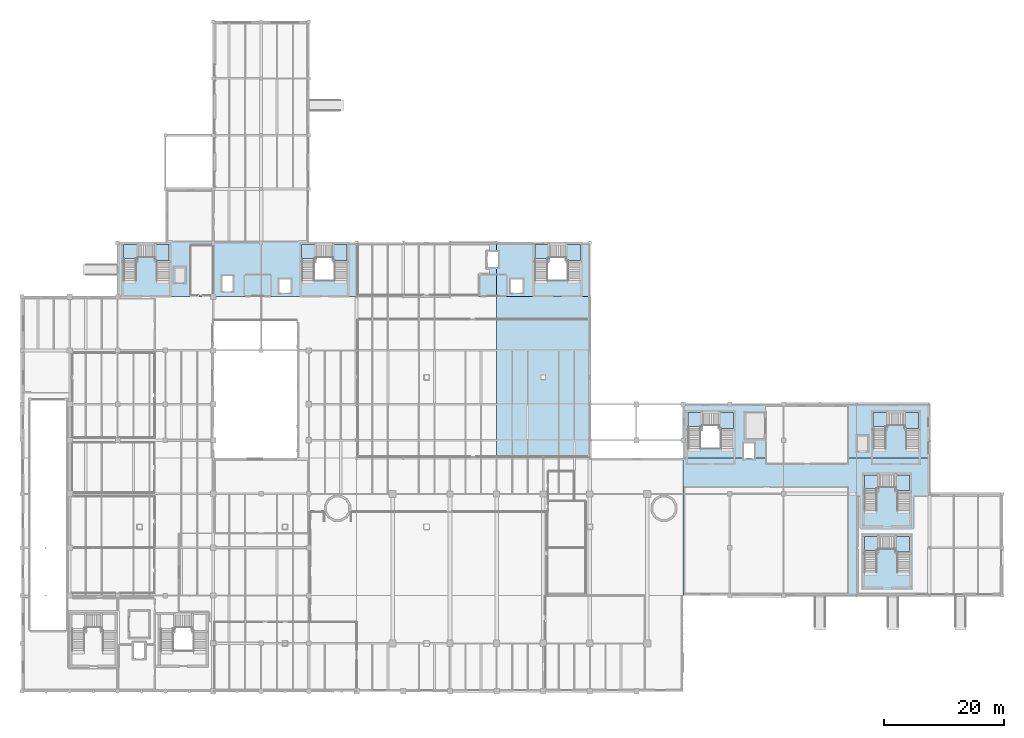
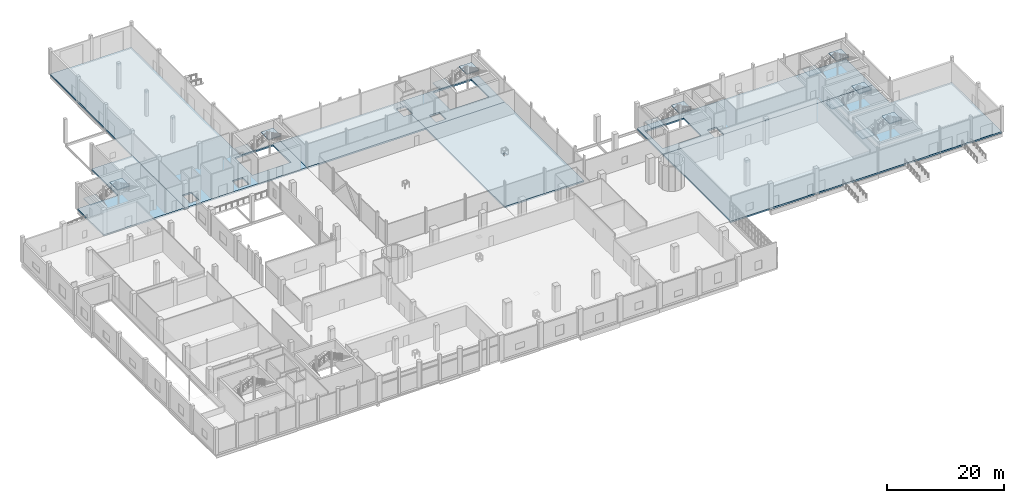
# One storey, part 32 of 57: 21 slabs, 7 elements without a shape of their own.
"""IFC4 building model written with IfcOpenShell, lengths in metres."""

from ifc_helpers import new_model, si_unit, derived_unit, direction, frame, origin, place, context, subcontext, project, spatial, polyline, outline, extrude, material, layer, layer_set, type_object, element, aggregate, save


model = new_model("IFC4")

# Units and contexts
model_context = context("Model", 3, precision=1e-05, world=origin(), true_north=direction((0.0, 1.0)))
body_context = subcontext(model_context, "Body", "Model", "MODEL_VIEW")
ifc_project = project(units=[si_unit("LENGTHUNIT", "METRE"), si_unit("AREAUNIT", "SQUARE_METRE"), si_unit("VOLUMEUNIT", "CUBIC_METRE"), si_unit("PLANEANGLEUNIT", "RADIAN"), si_unit("MASSUNIT", "GRAM", prefix="KILO"), derived_unit("THERMALTRANSMITTANCEUNIT", [(si_unit("POWERUNIT", "WATT"), 1), (si_unit("LENGTHUNIT", "METRE"), -2), (si_unit("THERMODYNAMICTEMPERATUREUNIT", "KELVIN"), -1)])], contexts=[model_context])

# Site, building, storey
site_placement = place(None, origin())
site = spatial("IfcSite", under=ifc_project, at=site_placement, CompositionType="ELEMENT")
building_placement = place(site_placement, origin())
building = spatial("IfcBuilding", under=site, at=building_placement, Name="Nallur Shell Playhouse", CompositionType="ELEMENT")
storey_placement = place(building_placement, origin())
storey = spatial("IfcBuildingStorey", under=building, at=storey_placement, Name="L01", CompositionType="ELEMENT", Elevation=0.0)

# Stair, slabs
ifc_material = material(Name="Concrete M35", Category="concrete")
stair_type = type_object("IfcStairType", Name="ST-CORE-54", PredefinedType="QUARTER_TURN_STAIR", material=ifc_material)
stair_1_placement = place(storey_placement, origin())
stair_1 = element("IfcStair", 1, at=stair_1_placement, inside=storey, type_object=stair_type, Name="Core JC-2 exit stair ST-02-L01 (L01 to L02)", PredefinedType="QUARTER_TURN_STAIR")
ifc_layer_1 = layer(ifc_material, 0.199951171875)
ifc_layer_set_1 = layer_set([ifc_layer_1], Name="Concrete M35")
slab_type_1 = type_object("IfcSlabType", Name="SL-LANDING-200", PredefinedType="LANDING", material=ifc_layer_set_1)
slab_1_placement = place(storey_placement, frame((0.0, 0.0, 1.8056640625)))
slab_1 = element("IfcSlab", 2, at=slab_1_placement, type_object=slab_type_1, Name="ST-54 landing 1", PredefinedType="LANDING", context=body_context, shape_type="SweptSolid", body=[
    extrude(outline(polyline([(119.39990234375, 52.260009765625), (121.827392578125, 52.260009765625), (121.827392578125, 54.60009765625), (119.39990234375, 54.60009765625), (119.39990234375, 52.260009765625)])), origin(), (0.0, 0.0, 1.0), 0.199951171875),
])
slab_2_placement = place(storey_placement, frame((0.0, 0.0, 3.3486328125)))
slab_2 = element("IfcSlab", 3, at=slab_2_placement, type_object=slab_type_1, Name="ST-54 landing 2", PredefinedType="LANDING", context=body_context, shape_type="SweptSolid", body=[
    extrude(outline(polyline([(124.572509765625, 51.955078125), (127.0, 51.955078125), (127.0, 54.60009765625), (124.572509765625, 54.60009765625), (124.572509765625, 51.955078125)])), origin(), (0.0, 0.0, 1.0), 0.199951171875),
])
aggregate(stair_1, [slab_1, slab_2])

stair_2_placement = place(storey_placement, origin())
stair_2 = element("IfcStair", 4, at=stair_2_placement, inside=storey, type_object=stair_type, Name="Core JC-3 exit stair ST-03-L01 (L01 to L02)", PredefinedType="QUARTER_TURN_STAIR")
slab_3_placement = place(storey_placement, frame((0.0, 0.0, 1.8056640625)))
slab_3 = element("IfcSlab", 5, at=slab_3_placement, type_object=slab_type_1, Name="ST-54 landing 1", PredefinedType="LANDING", context=body_context, shape_type="SweptSolid", body=[
    extrude(outline(polyline([(54.800048828125, 80.360107421875), (57.2275390625, 80.360107421875), (57.2275390625, 82.699951171875), (54.800048828125, 82.699951171875), (54.800048828125, 80.360107421875)])), origin(), (0.0, 0.0, 1.0), 0.199951171875),
])
slab_4_placement = place(storey_placement, frame((0.0, 0.0, 3.3486328125)))
slab_4 = element("IfcSlab", 6, at=slab_4_placement, type_object=slab_type_1, Name="ST-54 landing 2", PredefinedType="LANDING", context=body_context, shape_type="SweptSolid", body=[
    extrude(outline(polyline([(59.972412109375, 80.054931640625), (62.39990234375, 80.054931640625), (62.39990234375, 82.699951171875), (59.972412109375, 82.699951171875), (59.972412109375, 80.054931640625)])), origin(), (0.0, 0.0, 1.0), 0.199951171875),
])
aggregate(stair_2, [slab_3, slab_4])

stair_3_placement = place(storey_placement, origin())
stair_3 = element("IfcStair", 7, at=stair_3_placement, inside=storey, type_object=stair_type, Name="Core JC-4 exit stair ST-04-L01 (L01 to L02)", PredefinedType="QUARTER_TURN_STAIR")
slab_5_placement = place(storey_placement, frame((0.0, 0.0, 1.8056640625)))
slab_5 = element("IfcSlab", 8, at=slab_5_placement, type_object=slab_type_1, Name="ST-54 landing 1", PredefinedType="LANDING", context=body_context, shape_type="SweptSolid", body=[
    extrude(outline(polyline([(93.800048828125, 80.360107421875), (96.2275390625, 80.360107421875), (96.2275390625, 82.699951171875), (93.800048828125, 82.699951171875), (93.800048828125, 80.360107421875)])), origin(), (0.0, 0.0, 1.0), 0.199951171875),
])
slab_6_placement = place(storey_placement, frame((0.0, 0.0, 3.3486328125)))
slab_6 = element("IfcSlab", 9, at=slab_6_placement, type_object=slab_type_1, Name="ST-54 landing 2", PredefinedType="LANDING", context=body_context, shape_type="SweptSolid", body=[
    extrude(outline(polyline([(98.972412109375, 80.054931640625), (101.39990234375, 80.054931640625), (101.39990234375, 82.699951171875), (98.972412109375, 82.699951171875), (98.972412109375, 80.054931640625)])), origin(), (0.0, 0.0, 1.0), 0.199951171875),
])
aggregate(stair_3, [slab_5, slab_6])

stair_4_placement = place(storey_placement, origin())
stair_4 = element("IfcStair", 10, at=stair_4_placement, inside=storey, type_object=stair_type, Name="Core JC-5 exit stair ST-05-L01 (L01 to L02)", PredefinedType="QUARTER_TURN_STAIR")
slab_7_placement = place(storey_placement, frame((0.0, 0.0, 1.8056640625)))
slab_7 = element("IfcSlab", 11, at=slab_7_placement, type_object=slab_type_1, Name="ST-54 landing 1", PredefinedType="LANDING", context=body_context, shape_type="SweptSolid", body=[
    extrude(outline(polyline([(150.39990234375, 52.260009765625), (152.827392578125, 52.260009765625), (152.827392578125, 54.60009765625), (150.39990234375, 54.60009765625), (150.39990234375, 52.260009765625)])), origin(), (0.0, 0.0, 1.0), 0.199951171875),
])
slab_8_placement = place(storey_placement, frame((0.0, 0.0, 3.3486328125)))
slab_8 = element("IfcSlab", 12, at=slab_8_placement, type_object=slab_type_1, Name="ST-54 landing 2", PredefinedType="LANDING", context=body_context, shape_type="SweptSolid", body=[
    extrude(outline(polyline([(155.572509765625, 51.955078125), (158.0, 51.955078125), (158.0, 54.60009765625), (155.572509765625, 54.60009765625), (155.572509765625, 51.955078125)])), origin(), (0.0, 0.0, 1.0), 0.199951171875),
])
aggregate(stair_4, [slab_7, slab_8])

stair_5_placement = place(storey_placement, origin())
stair_5 = element("IfcStair", 13, at=stair_5_placement, inside=storey, type_object=stair_type, Name="Core JC-6 exit stair ST-06-L01 (L01 to L02)", PredefinedType="QUARTER_TURN_STAIR")
slab_9_placement = place(storey_placement, frame((0.0, 0.0, 1.8056640625)))
slab_9 = element("IfcSlab", 14, at=slab_9_placement, type_object=slab_type_1, Name="ST-54 landing 1", PredefinedType="LANDING", context=body_context, shape_type="SweptSolid", body=[
    extrude(outline(polyline([(25.0, 80.360107421875), (27.427490234375, 80.360107421875), (27.427490234375, 82.699951171875), (25.0, 82.699951171875), (25.0, 80.360107421875)])), origin(), (0.0, 0.0, 1.0), 0.199951171875),
])
slab_10_placement = place(storey_placement, frame((0.0, 0.0, 3.3486328125)))
slab_10 = element("IfcSlab", 15, at=slab_10_placement, type_object=slab_type_1, Name="ST-54 landing 2", PredefinedType="LANDING", context=body_context, shape_type="SweptSolid", body=[
    extrude(outline(polyline([(30.172607421875, 80.054931640625), (32.60009765625, 80.054931640625), (32.60009765625, 82.699951171875), (30.172607421875, 82.699951171875), (30.172607421875, 80.054931640625)])), origin(), (0.0, 0.0, 1.0), 0.199951171875),
])
aggregate(stair_5, [slab_9, slab_10])

stair_6_placement = place(storey_placement, origin())
stair_6 = element("IfcStair", 16, at=stair_6_placement, inside=storey, type_object=stair_type, Name="Core JC-8 exit stair ST-08-L01 (L01 to L02)", PredefinedType="QUARTER_TURN_STAIR")
slab_11_placement = place(storey_placement, frame((0.0, 0.0, 1.8056640625)))
slab_11 = element("IfcSlab", 17, at=slab_11_placement, type_object=slab_type_1, Name="ST-54 landing 1", PredefinedType="LANDING", context=body_context, shape_type="SweptSolid", body=[
    extrude(outline(polyline([(148.89990234375, 31.56005859375), (151.327392578125, 31.56005859375), (151.327392578125, 33.89990234375), (148.89990234375, 33.89990234375), (148.89990234375, 31.56005859375)])), origin(), (0.0, 0.0, 1.0), 0.199951171875),
])
slab_12_placement = place(storey_placement, frame((0.0, 0.0, 3.3486328125)))
slab_12 = element("IfcSlab", 18, at=slab_12_placement, type_object=slab_type_1, Name="ST-54 landing 2", PredefinedType="LANDING", context=body_context, shape_type="SweptSolid", body=[
    extrude(outline(polyline([(154.072509765625, 31.2548828125), (156.5, 31.2548828125), (156.5, 33.89990234375), (154.072509765625, 33.89990234375), (154.072509765625, 31.2548828125)])), origin(), (0.0, 0.0, 1.0), 0.199951171875),
])
aggregate(stair_6, [slab_11, slab_12])

stair_7_placement = place(storey_placement, origin())
stair_7 = element("IfcStair", 19, at=stair_7_placement, inside=storey, type_object=stair_type, Name="Core JC-9 exit stair ST-09-L01 (L01 to L02)", PredefinedType="QUARTER_TURN_STAIR")
slab_13_placement = place(storey_placement, frame((0.0, 0.0, 1.8056640625)))
slab_13 = element("IfcSlab", 20, at=slab_13_placement, type_object=slab_type_1, Name="ST-54 landing 1", PredefinedType="LANDING", context=body_context, shape_type="SweptSolid", body=[
    extrude(outline(polyline([(148.89990234375, 41.860107421875), (151.327392578125, 41.860107421875), (151.327392578125, 44.199951171875), (148.89990234375, 44.199951171875), (148.89990234375, 41.860107421875)])), origin(), (0.0, 0.0, 1.0), 0.199951171875),
])
slab_14_placement = place(storey_placement, frame((0.0, 0.0, 3.3486328125)))
slab_14 = element("IfcSlab", 21, at=slab_14_placement, type_object=slab_type_1, Name="ST-54 landing 2", PredefinedType="LANDING", context=body_context, shape_type="SweptSolid", body=[
    extrude(outline(polyline([(154.072509765625, 41.554931640625), (156.5, 41.554931640625), (156.5, 44.199951171875), (154.072509765625, 44.199951171875), (154.072509765625, 41.554931640625)])), origin(), (0.0, 0.0, 1.0), 0.199951171875),
])
aggregate(stair_7, [slab_13, slab_14])

# Slabs
ifc_layer_2 = layer(ifc_material, 0.320068359375)
ifc_layer_set_2 = layer_set([ifc_layer_2], Name="Concrete M35")
slab_type_2 = type_object("IfcSlabType", Name="SL-PLINTH-320", PredefinedType="FLOOR", material=ifc_layer_set_2)
slab_15_placement = place(storey_placement, frame((0.0, 0.0, -0.320068359375)))
element("IfcSlab", 22, at=slab_15_placement, inside=storey, type_object=slab_type_2, Name="L01 structural floor slab panel 05", PredefinedType="FLOOR", context=body_context, shape_type="SweptSolid", body=[
    extrude(outline(polyline([(24.0, 83.0), (32.0, 83.0), (32.0, 92.0), (40.0, 92.0), (40.0, 74.0), (24.0, 74.0), (24.0, 83.0)])), origin(), (0.0, 0.0, 1.0), 0.320068359375),
])
slab_16_placement = place(storey_placement, frame((0.0, 0.0, -0.320068359375)))
element("IfcSlab", 23, at=slab_16_placement, inside=storey, type_object=slab_type_2, Name="L01 structural floor slab panel 09", PredefinedType="FLOOR", context=body_context, shape_type="SweptSolid", body=[
    extrude(outline(polyline([(40.0, 120.0), (56.0, 120.0), (56.0, 83.0), (64.0, 83.0), (64.0, 74.0), (40.0, 74.0), (40.0, 92.0), (40.0, 120.0)]), holes=[polyline([(51.0, 76.949951171875), (51.0, 74.64990234375), (53.0, 74.64990234375), (53.0, 76.949951171875), (51.0, 76.949951171875)]), polyline([(41.5, 77.5), (41.5, 74.89990234375), (43.300048828125, 74.89990234375), (43.300048828125, 77.5), (41.5, 77.5)]), polyline([(54.800048828125, 82.699951171875), (54.800048828125, 76.699951171875), (62.39990234375, 76.699951171875), (62.39990234375, 82.699951171875), (54.800048828125, 82.699951171875)])]), origin(), (0.0, 0.0, 1.0), 0.320068359375),
])
slab_17_placement = place(storey_placement, frame((0.0, 0.0, -0.320068359375)))
element("IfcSlab", 24, at=slab_17_placement, inside=storey, type_object=slab_type_2, Name="L01 structural floor slab panel 13", PredefinedType="FLOOR", context=body_context, shape_type="SweptSolid", body=[
    extrude(outline(polyline([(87.39990234375, 83.0), (87.39990234375, 81.5), (85.89990234375, 81.5), (85.89990234375, 78.89990234375), (87.39990234375, 78.89990234375), (87.39990234375, 74.0), (64.0, 74.0), (64.0, 83.0), (87.39990234375, 83.0)])), origin(), (0.0, 0.0, 1.0), 0.320068359375),
])
slab_18_placement = place(storey_placement, frame((0.0, 0.0, -0.320068359375)))
element("IfcSlab", 25, at=slab_18_placement, inside=storey, type_object=slab_type_2, Name="L01 structural floor slab panel 16", PredefinedType="FLOOR", context=body_context, shape_type="SweptSolid", body=[
    extrude(outline(polyline([(103.0, 47.0), (87.39990234375, 47.0), (87.39990234375, 74.0), (103.0, 74.0), (103.0, 47.0)]), holes=[polyline([(94.85009765625, 60.14990234375), (95.550048828125, 60.14990234375), (95.550048828125, 60.85009765625), (94.85009765625, 60.85009765625), (94.85009765625, 60.14990234375)])]), origin(), (0.0, 0.0, 1.0), 0.320068359375),
])
slab_19_placement = place(storey_placement, frame((0.0, 0.0, -0.320068359375)))
element("IfcSlab", 26, at=slab_19_placement, inside=storey, type_object=slab_type_2, Name="L01 structural floor slab panel 17", PredefinedType="FLOOR", context=body_context, shape_type="SweptSolid", body=[
    extrude(outline(polyline([(103.0, 83.0), (103.0, 74.0), (87.39990234375, 74.0), (87.39990234375, 78.89990234375), (87.699951171875, 78.89990234375), (87.699951171875, 81.5), (87.39990234375, 81.5), (87.39990234375, 83.0), (103.0, 83.0)]), holes=[polyline([(89.800048828125, 76.949951171875), (89.800048828125, 74.64990234375), (91.800048828125, 74.64990234375), (91.800048828125, 76.949951171875), (89.800048828125, 76.949951171875)]), polyline([(101.39990234375, 82.699951171875), (93.800048828125, 82.699951171875), (93.800048828125, 76.699951171875), (101.39990234375, 76.699951171875), (101.39990234375, 82.699951171875)])]), origin(), (0.0, 0.0, 1.0), 0.320068359375),
])
slab_20_placement = place(storey_placement, frame((0.0, 0.0, -0.320068359375)))
element("IfcSlab", 27, at=slab_20_placement, inside=storey, type_object=slab_type_2, Name="L01 structural floor slab panel 18", PredefinedType="FLOOR", context=body_context, shape_type="SweptSolid", body=[
    extrude(outline(polyline([(172.0, 41.0), (172.0, 24.0), (159.800048828125, 24.0), (118.60009765625, 24.0), (118.60009765625, 47.0), (128.699951171875, 47.0), (128.699951171875, 46.89990234375), (130.5, 46.89990234375), (130.5, 47.0), (159.800048828125, 47.0), (159.800048828125, 41.0), (172.0, 41.0)])), origin(), (0.0, 0.0, 1.0), 0.320068359375),
])
slab_21_placement = place(storey_placement, frame((0.0, 0.0, -0.320068359375)))
element("IfcSlab", 28, at=slab_21_placement, inside=storey, type_object=slab_type_2, Name="L01 structural floor slab panel 19", PredefinedType="FLOOR", context=body_context, shape_type="SweptSolid", body=[
    extrude(outline(polyline([(118.60009765625, 56.0), (159.800048828125, 56.0), (159.800048828125, 47.0), (130.5, 47.0), (130.5, 49.5), (128.699951171875, 49.5), (128.699951171875, 47.0), (118.60009765625, 47.0), (118.60009765625, 56.0)]), holes=[polyline([(127.0, 54.60009765625), (119.39990234375, 54.60009765625), (119.39990234375, 48.60009765625), (127.0, 48.60009765625), (127.0, 54.60009765625)])]), origin(), (0.0, 0.0, 1.0), 0.320068359375),
])

save(model, "model.ifc")
